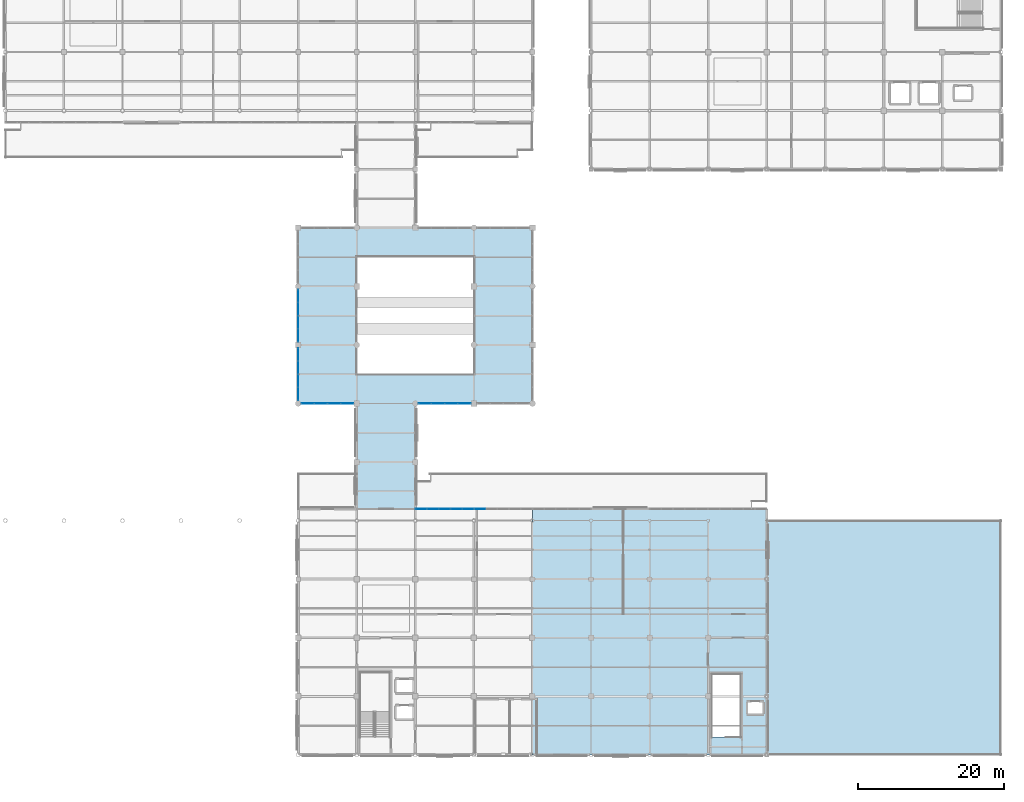
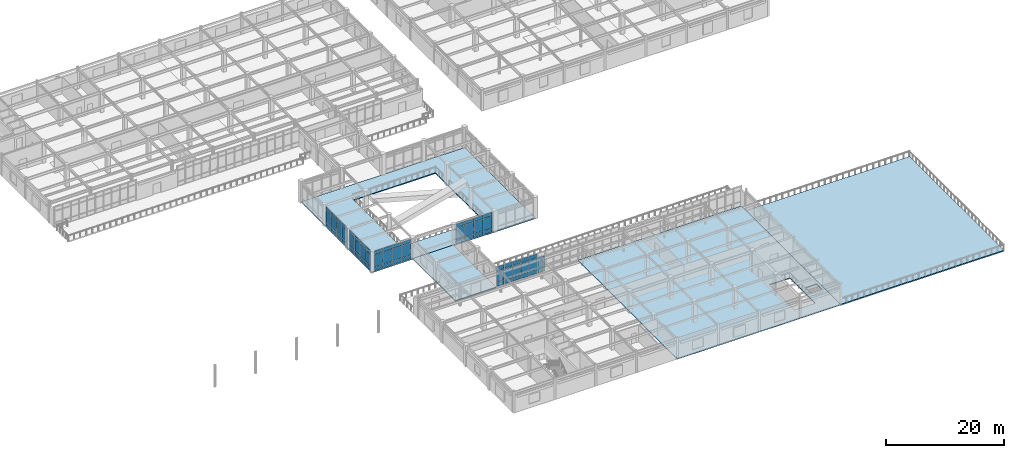
# One storey, part 51 of 93: 65 plates, 4 slabs, 6 elements without a shape of their own.
"""IFC4 building model written with IfcOpenShell, lengths in metres."""

from ifc_helpers import new_model, si_unit, direction, frame, origin, origin_2d, place, context, subcontext, project, spatial, polyline, rectangle, outline, extrude, material, layer, layer_set, type_object, element, aggregate, save


model = new_model("IFC4")

# Units and contexts
model_context = context("Model", 3, precision=1e-05, world=origin(), true_north=direction((0.0, 1.0)))
body_context = subcontext(model_context, "Body", "Model", "MODEL_VIEW")
ifc_project = project(units=[si_unit("LENGTHUNIT", "METRE"), si_unit("AREAUNIT", "SQUARE_METRE"), si_unit("VOLUMEUNIT", "CUBIC_METRE"), si_unit("PLANEANGLEUNIT", "RADIAN"), si_unit("MASSUNIT", "GRAM", prefix="KILO")], contexts=[model_context])

# Site, building, storey
site_placement = place(None, origin())
site = spatial("IfcSite", under=ifc_project, at=site_placement, CompositionType="ELEMENT")
building_placement = place(site_placement, origin())
building = spatial("IfcBuilding", under=site, at=building_placement, Name="Solmirada Galleria", CompositionType="ELEMENT")
storey_placement = place(building_placement, frame((0.0, 0.0, 14.89990234375)))
storey = spatial("IfcBuildingStorey", under=building, at=storey_placement, Name="L03", CompositionType="ELEMENT", Elevation=14.89990234375)

# Curtain wall, plates
ifc_material_1 = material(Name="Impact-resistant low-E double glazing", Category="glass")
curtain_wall_type_1 = type_object("IfcCurtainWallType", Name="CW-FZ3-L03-B4-L072", PredefinedType="NOTDEFINED", material=ifc_material_1)
curtain_wall_1_placement = place(storey_placement, origin())
curtain_wall_1 = element("IfcCurtainWall", 1, at=curtain_wall_1_placement, inside=storey, type_object=curtain_wall_type_1, Name="Terrace and arcade storefront CW-L03-118", PredefinedType="NOTDEFINED")
ifc_layer_1 = layer(ifc_material_1, 0.028076171875)
ifc_layer_set_1 = layer_set([ifc_layer_1], Name="Impact-resistant low-E double glazing")
plate_type_1 = type_object("IfcPlateType", Name="CW-PNL-CW27-T28", PredefinedType="CURTAIN_PANEL", material=ifc_layer_set_1)
plate_1_placement = place(storey_placement, frame((86.68359375, 48.0, 0.06005859375), z_axis=(0.0, 0.0, 1.0), x_axis=(-1.0, 0.0, 0.0)))
plate_1 = element("IfcPlate", 2, at=plate_1_placement, type_object=plate_type_1, Name="CW27 panel 1.1", PredefinedType="CURTAIN_PANEL", context=body_context, shape_type="SweptSolid", body=[
    extrude(rectangle(XDim=1.708984375, YDim=0.028076171875, at=origin_2d()), origin(), (0.0, 0.0, 1.0), 0.77001953125),
])
plate_2_placement = place(storey_placement, frame((86.68359375, 48.0, 0.89013671875), z_axis=(0.0, 0.0, 1.0), x_axis=(-1.0, 0.0, 0.0)))
plate_2 = element("IfcPlate", 3, at=plate_2_placement, type_object=plate_type_1, Name="CW27 panel 1.2", PredefinedType="CURTAIN_PANEL", context=body_context, shape_type="SweptSolid", body=[
    extrude(rectangle(XDim=1.708984375, YDim=0.028076171875, at=origin_2d()), origin(), (0.0, 0.0, 1.0), 2.449951171875),
])
plate_3_placement = place(storey_placement, frame((86.68359375, 48.0, 3.39990234375), z_axis=(0.0, 0.0, 1.0), x_axis=(-1.0, 0.0, 0.0)))
plate_3 = element("IfcPlate", 4, at=plate_3_placement, type_object=plate_type_1, Name="CW27 panel 1.3", PredefinedType="CURTAIN_PANEL", context=body_context, shape_type="SweptSolid", body=[
    extrude(rectangle(XDim=1.708984375, YDim=0.028076171875, at=origin_2d()), origin(), (0.0, 0.0, 1.0), 0.760009765625),
])
plate_4_placement = place(storey_placement, frame((84.8994140625, 48.0, 0.06005859375), z_axis=(0.0, 0.0, 1.0), x_axis=(-1.0, 0.0, 0.0)))
plate_4 = element("IfcPlate", 5, at=plate_4_placement, type_object=plate_type_1, Name="CW27 panel 2.1", PredefinedType="CURTAIN_PANEL", context=body_context, shape_type="SweptSolid", body=[
    extrude(rectangle(XDim=1.739013671875, YDim=0.028076171875, at=origin_2d()), origin(), (0.0, 0.0, 1.0), 0.77001953125),
])
plate_5_placement = place(storey_placement, frame((84.8994140625, 48.0, 0.89013671875), z_axis=(0.0, 0.0, 1.0), x_axis=(-1.0, 0.0, 0.0)))
plate_5 = element("IfcPlate", 6, at=plate_5_placement, type_object=plate_type_1, Name="CW27 panel 2.2", PredefinedType="CURTAIN_PANEL", context=body_context, shape_type="SweptSolid", body=[
    extrude(rectangle(XDim=1.739013671875, YDim=0.028076171875, at=origin_2d()), origin(), (0.0, 0.0, 1.0), 2.449951171875),
])
plate_6_placement = place(storey_placement, frame((84.8994140625, 48.0, 3.39990234375), z_axis=(0.0, 0.0, 1.0), x_axis=(-1.0, 0.0, 0.0)))
plate_6 = element("IfcPlate", 7, at=plate_6_placement, type_object=plate_type_1, Name="CW27 panel 2.3", PredefinedType="CURTAIN_PANEL", context=body_context, shape_type="SweptSolid", body=[
    extrude(rectangle(XDim=1.739013671875, YDim=0.028076171875, at=origin_2d()), origin(), (0.0, 0.0, 1.0), 0.760009765625),
])
plate_7_placement = place(storey_placement, frame((83.1005859375, 48.0, 0.06005859375), z_axis=(0.0, 0.0, 1.0), x_axis=(-1.0, 0.0, 0.0)))
plate_7 = element("IfcPlate", 8, at=plate_7_placement, type_object=plate_type_1, Name="CW27 panel 3.1", PredefinedType="CURTAIN_PANEL", context=body_context, shape_type="SweptSolid", body=[
    extrude(rectangle(XDim=1.739013671875, YDim=0.028076171875, at=origin_2d()), origin(), (0.0, 0.0, 1.0), 0.77001953125),
])
plate_8_placement = place(storey_placement, frame((83.1005859375, 48.0, 0.89013671875), z_axis=(0.0, 0.0, 1.0), x_axis=(-1.0, 0.0, 0.0)))
plate_8 = element("IfcPlate", 9, at=plate_8_placement, type_object=plate_type_1, Name="CW27 panel 3.2", PredefinedType="CURTAIN_PANEL", context=body_context, shape_type="SweptSolid", body=[
    extrude(rectangle(XDim=1.739013671875, YDim=0.028076171875, at=origin_2d()), origin(), (0.0, 0.0, 1.0), 2.449951171875),
])
plate_9_placement = place(storey_placement, frame((83.1005859375, 48.0, 3.39990234375), z_axis=(0.0, 0.0, 1.0), x_axis=(-1.0, 0.0, 0.0)))
plate_9 = element("IfcPlate", 10, at=plate_9_placement, type_object=plate_type_1, Name="CW27 panel 3.3", PredefinedType="CURTAIN_PANEL", context=body_context, shape_type="SweptSolid", body=[
    extrude(rectangle(XDim=1.739013671875, YDim=0.028076171875, at=origin_2d()), origin(), (0.0, 0.0, 1.0), 0.760009765625),
])
plate_10_placement = place(storey_placement, frame((81.31640625, 48.0, 0.06005859375), z_axis=(0.0, 0.0, 1.0), x_axis=(-1.0, 0.0, 0.0)))
plate_10 = element("IfcPlate", 11, at=plate_10_placement, type_object=plate_type_1, Name="CW27 panel 4.1", PredefinedType="CURTAIN_PANEL", context=body_context, shape_type="SweptSolid", body=[
    extrude(rectangle(XDim=1.708984375, YDim=0.028076171875, at=origin_2d()), origin(), (0.0, 0.0, 1.0), 0.77001953125),
])
plate_11_placement = place(storey_placement, frame((81.31640625, 48.0, 0.89013671875), z_axis=(0.0, 0.0, 1.0), x_axis=(-1.0, 0.0, 0.0)))
plate_11 = element("IfcPlate", 12, at=plate_11_placement, type_object=plate_type_1, Name="CW27 panel 4.2", PredefinedType="CURTAIN_PANEL", context=body_context, shape_type="SweptSolid", body=[
    extrude(rectangle(XDim=1.708984375, YDim=0.028076171875, at=origin_2d()), origin(), (0.0, 0.0, 1.0), 2.449951171875),
])
plate_12_placement = place(storey_placement, frame((81.31640625, 48.0, 3.39990234375), z_axis=(0.0, 0.0, 1.0), x_axis=(-1.0, 0.0, 0.0)))
plate_12 = element("IfcPlate", 13, at=plate_12_placement, type_object=plate_type_1, Name="CW27 panel 4.3", PredefinedType="CURTAIN_PANEL", context=body_context, shape_type="SweptSolid", body=[
    extrude(rectangle(XDim=1.708984375, YDim=0.028076171875, at=origin_2d()), origin(), (0.0, 0.0, 1.0), 0.760009765625),
])
aggregate(curtain_wall_1, [plate_1, plate_2, plate_3, plate_4, plate_5, plate_6, plate_7, plate_8, plate_9, plate_10, plate_11, plate_12])

curtain_wall_2_placement = place(storey_placement, origin())
curtain_wall_2 = element("IfcCurtainWall", 14, at=curtain_wall_2_placement, inside=storey, type_object=curtain_wall_type_1, Name="Terrace and arcade storefront CW-L03-119", PredefinedType="NOTDEFINED")
plate_13_placement = place(storey_placement, frame((80.0, 49.31640625, 0.06005859375), z_axis=(0.0, 0.0, 1.0), x_axis=(0.0, 1.0, 0.0)))
plate_13 = element("IfcPlate", 15, at=plate_13_placement, type_object=plate_type_1, Name="CW27 panel 1.1", PredefinedType="CURTAIN_PANEL", context=body_context, shape_type="SweptSolid", body=[
    extrude(rectangle(XDim=1.708984375, YDim=0.028076171875, at=origin_2d()), origin(), (0.0, 0.0, 1.0), 0.77001953125),
])
plate_14_placement = place(storey_placement, frame((80.0, 49.31640625, 0.89013671875), z_axis=(0.0, 0.0, 1.0), x_axis=(0.0, 1.0, 0.0)))
plate_14 = element("IfcPlate", 16, at=plate_14_placement, type_object=plate_type_1, Name="CW27 panel 1.2", PredefinedType="CURTAIN_PANEL", context=body_context, shape_type="SweptSolid", body=[
    extrude(rectangle(XDim=1.708984375, YDim=0.028076171875, at=origin_2d()), origin(), (0.0, 0.0, 1.0), 2.449951171875),
])
plate_15_placement = place(storey_placement, frame((80.0, 49.31640625, 3.39990234375), z_axis=(0.0, 0.0, 1.0), x_axis=(0.0, 1.0, 0.0)))
plate_15 = element("IfcPlate", 17, at=plate_15_placement, type_object=plate_type_1, Name="CW27 panel 1.3", PredefinedType="CURTAIN_PANEL", context=body_context, shape_type="SweptSolid", body=[
    extrude(rectangle(XDim=1.708984375, YDim=0.028076171875, at=origin_2d()), origin(), (0.0, 0.0, 1.0), 0.760009765625),
])
plate_16_placement = place(storey_placement, frame((80.0, 51.1005859375, 0.06005859375), z_axis=(0.0, 0.0, 1.0), x_axis=(0.0, 1.0, 0.0)))
plate_16 = element("IfcPlate", 18, at=plate_16_placement, type_object=plate_type_1, Name="CW27 panel 2.1", PredefinedType="CURTAIN_PANEL", context=body_context, shape_type="SweptSolid", body=[
    extrude(rectangle(XDim=1.739013671875, YDim=0.028076171875, at=origin_2d()), origin(), (0.0, 0.0, 1.0), 0.77001953125),
])
plate_17_placement = place(storey_placement, frame((80.0, 51.1005859375, 0.89013671875), z_axis=(0.0, 0.0, 1.0), x_axis=(0.0, 1.0, 0.0)))
plate_17 = element("IfcPlate", 19, at=plate_17_placement, type_object=plate_type_1, Name="CW27 panel 2.2", PredefinedType="CURTAIN_PANEL", context=body_context, shape_type="SweptSolid", body=[
    extrude(rectangle(XDim=1.739013671875, YDim=0.028076171875, at=origin_2d()), origin(), (0.0, 0.0, 1.0), 2.449951171875),
])
plate_18_placement = place(storey_placement, frame((80.0, 51.1005859375, 3.39990234375), z_axis=(0.0, 0.0, 1.0), x_axis=(0.0, 1.0, 0.0)))
plate_18 = element("IfcPlate", 20, at=plate_18_placement, type_object=plate_type_1, Name="CW27 panel 2.3", PredefinedType="CURTAIN_PANEL", context=body_context, shape_type="SweptSolid", body=[
    extrude(rectangle(XDim=1.739013671875, YDim=0.028076171875, at=origin_2d()), origin(), (0.0, 0.0, 1.0), 0.760009765625),
])
plate_19_placement = place(storey_placement, frame((80.0, 52.8994140625, 0.06005859375), z_axis=(0.0, 0.0, 1.0), x_axis=(0.0, 1.0, 0.0)))
plate_19 = element("IfcPlate", 21, at=plate_19_placement, type_object=plate_type_1, Name="CW27 panel 3.1", PredefinedType="CURTAIN_PANEL", context=body_context, shape_type="SweptSolid", body=[
    extrude(rectangle(XDim=1.739013671875, YDim=0.028076171875, at=origin_2d()), origin(), (0.0, 0.0, 1.0), 0.77001953125),
])
plate_20_placement = place(storey_placement, frame((80.0, 52.8994140625, 0.89013671875), z_axis=(0.0, 0.0, 1.0), x_axis=(0.0, 1.0, 0.0)))
plate_20 = element("IfcPlate", 22, at=plate_20_placement, type_object=plate_type_1, Name="CW27 panel 3.2", PredefinedType="CURTAIN_PANEL", context=body_context, shape_type="SweptSolid", body=[
    extrude(rectangle(XDim=1.739013671875, YDim=0.028076171875, at=origin_2d()), origin(), (0.0, 0.0, 1.0), 2.449951171875),
])
plate_21_placement = place(storey_placement, frame((80.0, 52.8994140625, 3.39990234375), z_axis=(0.0, 0.0, 1.0), x_axis=(0.0, 1.0, 0.0)))
plate_21 = element("IfcPlate", 23, at=plate_21_placement, type_object=plate_type_1, Name="CW27 panel 3.3", PredefinedType="CURTAIN_PANEL", context=body_context, shape_type="SweptSolid", body=[
    extrude(rectangle(XDim=1.739013671875, YDim=0.028076171875, at=origin_2d()), origin(), (0.0, 0.0, 1.0), 0.760009765625),
])
plate_22_placement = place(storey_placement, frame((80.0, 54.68359375, 0.06005859375), z_axis=(0.0, 0.0, 1.0), x_axis=(0.0, 1.0, 0.0)))
plate_22 = element("IfcPlate", 24, at=plate_22_placement, type_object=plate_type_1, Name="CW27 panel 4.1", PredefinedType="CURTAIN_PANEL", context=body_context, shape_type="SweptSolid", body=[
    extrude(rectangle(XDim=1.708984375, YDim=0.028076171875, at=origin_2d()), origin(), (0.0, 0.0, 1.0), 0.77001953125),
])
plate_23_placement = place(storey_placement, frame((80.0, 54.68359375, 0.89013671875), z_axis=(0.0, 0.0, 1.0), x_axis=(0.0, 1.0, 0.0)))
plate_23 = element("IfcPlate", 25, at=plate_23_placement, type_object=plate_type_1, Name="CW27 panel 4.2", PredefinedType="CURTAIN_PANEL", context=body_context, shape_type="SweptSolid", body=[
    extrude(rectangle(XDim=1.708984375, YDim=0.028076171875, at=origin_2d()), origin(), (0.0, 0.0, 1.0), 2.449951171875),
])
plate_24_placement = place(storey_placement, frame((80.0, 54.68359375, 3.39990234375), z_axis=(0.0, 0.0, 1.0), x_axis=(0.0, 1.0, 0.0)))
plate_24 = element("IfcPlate", 26, at=plate_24_placement, type_object=plate_type_1, Name="CW27 panel 4.3", PredefinedType="CURTAIN_PANEL", context=body_context, shape_type="SweptSolid", body=[
    extrude(rectangle(XDim=1.708984375, YDim=0.028076171875, at=origin_2d()), origin(), (0.0, 0.0, 1.0), 0.760009765625),
])
aggregate(curtain_wall_2, [plate_13, plate_14, plate_15, plate_16, plate_17, plate_18, plate_19, plate_20, plate_21, plate_22, plate_23, plate_24])

curtain_wall_3_placement = place(storey_placement, origin())
curtain_wall_3 = element("IfcCurtainWall", 27, at=curtain_wall_3_placement, inside=storey, type_object=curtain_wall_type_1, Name="Terrace and arcade storefront CW-L03-120", PredefinedType="NOTDEFINED")
plate_25_placement = place(storey_placement, frame((80.0, 57.31640625, 0.06005859375), z_axis=(0.0, 0.0, 1.0), x_axis=(0.0, 1.0, 0.0)))
plate_25 = element("IfcPlate", 28, at=plate_25_placement, type_object=plate_type_1, Name="CW27 panel 1.1", PredefinedType="CURTAIN_PANEL", context=body_context, shape_type="SweptSolid", body=[
    extrude(rectangle(XDim=1.708984375, YDim=0.028076171875, at=origin_2d()), origin(), (0.0, 0.0, 1.0), 0.77001953125),
])
plate_26_placement = place(storey_placement, frame((80.0, 57.31640625, 0.89013671875), z_axis=(0.0, 0.0, 1.0), x_axis=(0.0, 1.0, 0.0)))
plate_26 = element("IfcPlate", 29, at=plate_26_placement, type_object=plate_type_1, Name="CW27 panel 1.2", PredefinedType="CURTAIN_PANEL", context=body_context, shape_type="SweptSolid", body=[
    extrude(rectangle(XDim=1.708984375, YDim=0.028076171875, at=origin_2d()), origin(), (0.0, 0.0, 1.0), 2.449951171875),
])
plate_27_placement = place(storey_placement, frame((80.0, 57.31640625, 3.39990234375), z_axis=(0.0, 0.0, 1.0), x_axis=(0.0, 1.0, 0.0)))
plate_27 = element("IfcPlate", 30, at=plate_27_placement, type_object=plate_type_1, Name="CW27 panel 1.3", PredefinedType="CURTAIN_PANEL", context=body_context, shape_type="SweptSolid", body=[
    extrude(rectangle(XDim=1.708984375, YDim=0.028076171875, at=origin_2d()), origin(), (0.0, 0.0, 1.0), 0.760009765625),
])
plate_28_placement = place(storey_placement, frame((80.0, 59.1005859375, 0.06005859375), z_axis=(0.0, 0.0, 1.0), x_axis=(0.0, 1.0, 0.0)))
plate_28 = element("IfcPlate", 31, at=plate_28_placement, type_object=plate_type_1, Name="CW27 panel 2.1", PredefinedType="CURTAIN_PANEL", context=body_context, shape_type="SweptSolid", body=[
    extrude(rectangle(XDim=1.739013671875, YDim=0.028076171875, at=origin_2d()), origin(), (0.0, 0.0, 1.0), 0.77001953125),
])
plate_29_placement = place(storey_placement, frame((80.0, 59.1005859375, 0.89013671875), z_axis=(0.0, 0.0, 1.0), x_axis=(0.0, 1.0, 0.0)))
plate_29 = element("IfcPlate", 32, at=plate_29_placement, type_object=plate_type_1, Name="CW27 panel 2.2", PredefinedType="CURTAIN_PANEL", context=body_context, shape_type="SweptSolid", body=[
    extrude(rectangle(XDim=1.739013671875, YDim=0.028076171875, at=origin_2d()), origin(), (0.0, 0.0, 1.0), 2.449951171875),
])
plate_30_placement = place(storey_placement, frame((80.0, 59.1005859375, 3.39990234375), z_axis=(0.0, 0.0, 1.0), x_axis=(0.0, 1.0, 0.0)))
plate_30 = element("IfcPlate", 33, at=plate_30_placement, type_object=plate_type_1, Name="CW27 panel 2.3", PredefinedType="CURTAIN_PANEL", context=body_context, shape_type="SweptSolid", body=[
    extrude(rectangle(XDim=1.739013671875, YDim=0.028076171875, at=origin_2d()), origin(), (0.0, 0.0, 1.0), 0.760009765625),
])
plate_31_placement = place(storey_placement, frame((80.0, 60.8994140625, 0.06005859375), z_axis=(0.0, 0.0, 1.0), x_axis=(0.0, 1.0, 0.0)))
plate_31 = element("IfcPlate", 34, at=plate_31_placement, type_object=plate_type_1, Name="CW27 panel 3.1", PredefinedType="CURTAIN_PANEL", context=body_context, shape_type="SweptSolid", body=[
    extrude(rectangle(XDim=1.739013671875, YDim=0.028076171875, at=origin_2d()), origin(), (0.0, 0.0, 1.0), 0.77001953125),
])
plate_32_placement = place(storey_placement, frame((80.0, 60.8994140625, 0.89013671875), z_axis=(0.0, 0.0, 1.0), x_axis=(0.0, 1.0, 0.0)))
plate_32 = element("IfcPlate", 35, at=plate_32_placement, type_object=plate_type_1, Name="CW27 panel 3.2", PredefinedType="CURTAIN_PANEL", context=body_context, shape_type="SweptSolid", body=[
    extrude(rectangle(XDim=1.739013671875, YDim=0.028076171875, at=origin_2d()), origin(), (0.0, 0.0, 1.0), 2.449951171875),
])
plate_33_placement = place(storey_placement, frame((80.0, 60.8994140625, 3.39990234375), z_axis=(0.0, 0.0, 1.0), x_axis=(0.0, 1.0, 0.0)))
plate_33 = element("IfcPlate", 36, at=plate_33_placement, type_object=plate_type_1, Name="CW27 panel 3.3", PredefinedType="CURTAIN_PANEL", context=body_context, shape_type="SweptSolid", body=[
    extrude(rectangle(XDim=1.739013671875, YDim=0.028076171875, at=origin_2d()), origin(), (0.0, 0.0, 1.0), 0.760009765625),
])
plate_34_placement = place(storey_placement, frame((80.0, 62.68359375, 0.06005859375), z_axis=(0.0, 0.0, 1.0), x_axis=(0.0, 1.0, 0.0)))
plate_34 = element("IfcPlate", 37, at=plate_34_placement, type_object=plate_type_1, Name="CW27 panel 4.1", PredefinedType="CURTAIN_PANEL", context=body_context, shape_type="SweptSolid", body=[
    extrude(rectangle(XDim=1.708984375, YDim=0.028076171875, at=origin_2d()), origin(), (0.0, 0.0, 1.0), 0.77001953125),
])
plate_35_placement = place(storey_placement, frame((80.0, 62.68359375, 0.89013671875), z_axis=(0.0, 0.0, 1.0), x_axis=(0.0, 1.0, 0.0)))
plate_35 = element("IfcPlate", 38, at=plate_35_placement, type_object=plate_type_1, Name="CW27 panel 4.2", PredefinedType="CURTAIN_PANEL", context=body_context, shape_type="SweptSolid", body=[
    extrude(rectangle(XDim=1.708984375, YDim=0.028076171875, at=origin_2d()), origin(), (0.0, 0.0, 1.0), 2.449951171875),
])
plate_36_placement = place(storey_placement, frame((80.0, 62.68359375, 3.39990234375), z_axis=(0.0, 0.0, 1.0), x_axis=(0.0, 1.0, 0.0)))
plate_36 = element("IfcPlate", 39, at=plate_36_placement, type_object=plate_type_1, Name="CW27 panel 4.3", PredefinedType="CURTAIN_PANEL", context=body_context, shape_type="SweptSolid", body=[
    extrude(rectangle(XDim=1.708984375, YDim=0.028076171875, at=origin_2d()), origin(), (0.0, 0.0, 1.0), 0.760009765625),
])
aggregate(curtain_wall_3, [plate_25, plate_26, plate_27, plate_28, plate_29, plate_30, plate_31, plate_32, plate_33, plate_34, plate_35, plate_36])

curtain_wall_4_placement = place(storey_placement, origin())
curtain_wall_4 = element("IfcCurtainWall", 40, at=curtain_wall_4_placement, inside=storey, type_object=curtain_wall_type_1, Name="Terrace and arcade storefront CW-L03-135", PredefinedType="NOTDEFINED")
plate_37_placement = place(storey_placement, frame((102.68359375, 48.0, 0.06005859375), z_axis=(0.0, 0.0, 1.0), x_axis=(-1.0, 0.0, 0.0)))
plate_37 = element("IfcPlate", 41, at=plate_37_placement, type_object=plate_type_1, Name="CW27 panel 1.1", PredefinedType="CURTAIN_PANEL", context=body_context, shape_type="SweptSolid", body=[
    extrude(rectangle(XDim=1.708984375, YDim=0.028076171875, at=origin_2d()), origin(), (0.0, 0.0, 1.0), 0.77001953125),
])
plate_38_placement = place(storey_placement, frame((102.68359375, 48.0, 0.89013671875), z_axis=(0.0, 0.0, 1.0), x_axis=(-1.0, 0.0, 0.0)))
plate_38 = element("IfcPlate", 42, at=plate_38_placement, type_object=plate_type_1, Name="CW27 panel 1.2", PredefinedType="CURTAIN_PANEL", context=body_context, shape_type="SweptSolid", body=[
    extrude(rectangle(XDim=1.708984375, YDim=0.028076171875, at=origin_2d()), origin(), (0.0, 0.0, 1.0), 2.449951171875),
])
plate_39_placement = place(storey_placement, frame((102.68359375, 48.0, 3.39990234375), z_axis=(0.0, 0.0, 1.0), x_axis=(-1.0, 0.0, 0.0)))
plate_39 = element("IfcPlate", 43, at=plate_39_placement, type_object=plate_type_1, Name="CW27 panel 1.3", PredefinedType="CURTAIN_PANEL", context=body_context, shape_type="SweptSolid", body=[
    extrude(rectangle(XDim=1.708984375, YDim=0.028076171875, at=origin_2d()), origin(), (0.0, 0.0, 1.0), 0.760009765625),
])
plate_40_placement = place(storey_placement, frame((100.8994140625, 48.0, 0.06005859375), z_axis=(0.0, 0.0, 1.0), x_axis=(-1.0, 0.0, 0.0)))
plate_40 = element("IfcPlate", 44, at=plate_40_placement, type_object=plate_type_1, Name="CW27 panel 2.1", PredefinedType="CURTAIN_PANEL", context=body_context, shape_type="SweptSolid", body=[
    extrude(rectangle(XDim=1.739013671875, YDim=0.028076171875, at=origin_2d()), origin(), (0.0, 0.0, 1.0), 0.77001953125),
])
plate_41_placement = place(storey_placement, frame((100.8994140625, 48.0, 0.89013671875), z_axis=(0.0, 0.0, 1.0), x_axis=(-1.0, 0.0, 0.0)))
plate_41 = element("IfcPlate", 45, at=plate_41_placement, type_object=plate_type_1, Name="CW27 panel 2.2", PredefinedType="CURTAIN_PANEL", context=body_context, shape_type="SweptSolid", body=[
    extrude(rectangle(XDim=1.739013671875, YDim=0.028076171875, at=origin_2d()), origin(), (0.0, 0.0, 1.0), 2.449951171875),
])
plate_42_placement = place(storey_placement, frame((100.8994140625, 48.0, 3.39990234375), z_axis=(0.0, 0.0, 1.0), x_axis=(-1.0, 0.0, 0.0)))
plate_42 = element("IfcPlate", 46, at=plate_42_placement, type_object=plate_type_1, Name="CW27 panel 2.3", PredefinedType="CURTAIN_PANEL", context=body_context, shape_type="SweptSolid", body=[
    extrude(rectangle(XDim=1.739013671875, YDim=0.028076171875, at=origin_2d()), origin(), (0.0, 0.0, 1.0), 0.760009765625),
])
plate_43_placement = place(storey_placement, frame((99.1005859375, 48.0, 0.06005859375), z_axis=(0.0, 0.0, 1.0), x_axis=(-1.0, 0.0, 0.0)))
plate_43 = element("IfcPlate", 47, at=plate_43_placement, type_object=plate_type_1, Name="CW27 panel 3.1", PredefinedType="CURTAIN_PANEL", context=body_context, shape_type="SweptSolid", body=[
    extrude(rectangle(XDim=1.739013671875, YDim=0.028076171875, at=origin_2d()), origin(), (0.0, 0.0, 1.0), 0.77001953125),
])
plate_44_placement = place(storey_placement, frame((99.1005859375, 48.0, 0.89013671875), z_axis=(0.0, 0.0, 1.0), x_axis=(-1.0, 0.0, 0.0)))
plate_44 = element("IfcPlate", 48, at=plate_44_placement, type_object=plate_type_1, Name="CW27 panel 3.2", PredefinedType="CURTAIN_PANEL", context=body_context, shape_type="SweptSolid", body=[
    extrude(rectangle(XDim=1.739013671875, YDim=0.028076171875, at=origin_2d()), origin(), (0.0, 0.0, 1.0), 2.449951171875),
])
plate_45_placement = place(storey_placement, frame((99.1005859375, 48.0, 3.39990234375), z_axis=(0.0, 0.0, 1.0), x_axis=(-1.0, 0.0, 0.0)))
plate_45 = element("IfcPlate", 49, at=plate_45_placement, type_object=plate_type_1, Name="CW27 panel 3.3", PredefinedType="CURTAIN_PANEL", context=body_context, shape_type="SweptSolid", body=[
    extrude(rectangle(XDim=1.739013671875, YDim=0.028076171875, at=origin_2d()), origin(), (0.0, 0.0, 1.0), 0.760009765625),
])
plate_46_placement = place(storey_placement, frame((97.31640625, 48.0, 0.06005859375), z_axis=(0.0, 0.0, 1.0), x_axis=(-1.0, 0.0, 0.0)))
plate_46 = element("IfcPlate", 50, at=plate_46_placement, type_object=plate_type_1, Name="CW27 panel 4.1", PredefinedType="CURTAIN_PANEL", context=body_context, shape_type="SweptSolid", body=[
    extrude(rectangle(XDim=1.708984375, YDim=0.028076171875, at=origin_2d()), origin(), (0.0, 0.0, 1.0), 0.77001953125),
])
plate_47_placement = place(storey_placement, frame((97.31640625, 48.0, 0.89013671875), z_axis=(0.0, 0.0, 1.0), x_axis=(-1.0, 0.0, 0.0)))
plate_47 = element("IfcPlate", 51, at=plate_47_placement, type_object=plate_type_1, Name="CW27 panel 4.2", PredefinedType="CURTAIN_PANEL", context=body_context, shape_type="SweptSolid", body=[
    extrude(rectangle(XDim=1.708984375, YDim=0.028076171875, at=origin_2d()), origin(), (0.0, 0.0, 1.0), 2.449951171875),
])
plate_48_placement = place(storey_placement, frame((97.31640625, 48.0, 3.39990234375), z_axis=(0.0, 0.0, 1.0), x_axis=(-1.0, 0.0, 0.0)))
plate_48 = element("IfcPlate", 52, at=plate_48_placement, type_object=plate_type_1, Name="CW27 panel 4.3", PredefinedType="CURTAIN_PANEL", context=body_context, shape_type="SweptSolid", body=[
    extrude(rectangle(XDim=1.708984375, YDim=0.028076171875, at=origin_2d()), origin(), (0.0, 0.0, 1.0), 0.760009765625),
])
aggregate(curtain_wall_4, [plate_37, plate_38, plate_39, plate_40, plate_41, plate_42, plate_43, plate_44, plate_45, plate_46, plate_47, plate_48])

curtain_wall_type_2 = type_object("IfcCurtainWallType", Name="CW-FZ5-L03-B5-L080", PredefinedType="NOTDEFINED", material=ifc_material_1)
curtain_wall_5_placement = place(storey_placement, origin())
curtain_wall_5 = element("IfcCurtainWall", 53, at=curtain_wall_5_placement, inside=storey, type_object=curtain_wall_type_2, Name="Terrace and arcade storefront CW-L03-136", PredefinedType="NOTDEFINED")
ifc_material_2 = material(Name="Ceramic-fritted spandrel glass", Category="glass")
ifc_layer_2 = layer(ifc_material_2, 0.0419921875)
ifc_layer_set_2 = layer_set([ifc_layer_2], Name="Ceramic-fritted spandrel glass")
plate_type_2 = type_object("IfcPlateType", Name="CW-PNL-CW29-T42", PredefinedType="CURTAIN_PANEL", material=ifc_layer_set_2)
plate_49_placement = place(storey_placement, frame((96.81494140625, 33.60009765625, 0.06005859375), z_axis=(0.0, 0.0, 1.0), x_axis=(1.0, 0.0, 0.0)))
plate_49 = element("IfcPlate", 54, at=plate_49_placement, type_object=plate_type_2, Name="CW29 panel 1.1", PredefinedType="CURTAIN_PANEL", context=body_context, shape_type="SweptSolid", body=[
    extrude(rectangle(XDim=1.510009765625, YDim=0.0419921875, at=origin_2d()), origin(), (0.0, 0.0, 1.0), 0.889892578125),
])
plate_50_placement = place(storey_placement, frame((96.81494140625, 33.60009765625, 1.010009765625), z_axis=(0.0, 0.0, 1.0), x_axis=(1.0, 0.0, 0.0)))
plate_50 = element("IfcPlate", 55, at=plate_50_placement, type_object=plate_type_2, Name="CW29 panel 1.2", PredefinedType="CURTAIN_PANEL", context=body_context, shape_type="SweptSolid", body=[
    extrude(rectangle(XDim=1.510009765625, YDim=0.0419921875, at=origin_2d()), origin(), (0.0, 0.0, 1.0), 2.22998046875),
])
plate_51_placement = place(storey_placement, frame((96.81494140625, 33.60009765625, 3.2998046875), z_axis=(0.0, 0.0, 1.0), x_axis=(1.0, 0.0, 0.0)))
plate_51 = element("IfcPlate", 56, at=plate_51_placement, type_object=plate_type_2, Name="CW29 panel 1.3", PredefinedType="CURTAIN_PANEL", context=body_context, shape_type="SweptSolid", body=[
    extrude(rectangle(XDim=1.510009765625, YDim=0.0419921875, at=origin_2d()), origin(), (0.0, 0.0, 1.0), 0.860107421875),
])
plate_52_placement = place(storey_placement, frame((98.39990234375, 33.60009765625, 0.06005859375), z_axis=(0.0, 0.0, 1.0), x_axis=(1.0, 0.0, 0.0)))
plate_52 = element("IfcPlate", 57, at=plate_52_placement, type_object=plate_type_2, Name="CW29 panel 2.1", PredefinedType="CURTAIN_PANEL", context=body_context, shape_type="SweptSolid", body=[
    extrude(rectangle(XDim=1.5400390625, YDim=0.0419921875, at=origin_2d()), origin(), (0.0, 0.0, 1.0), 0.889892578125),
])
plate_53_placement = place(storey_placement, frame((98.39990234375, 33.60009765625, 1.010009765625), z_axis=(0.0, 0.0, 1.0), x_axis=(1.0, 0.0, 0.0)))
plate_53 = element("IfcPlate", 58, at=plate_53_placement, type_object=plate_type_2, Name="CW29 panel 2.2", PredefinedType="CURTAIN_PANEL", context=body_context, shape_type="SweptSolid", body=[
    extrude(rectangle(XDim=1.5400390625, YDim=0.0419921875, at=origin_2d()), origin(), (0.0, 0.0, 1.0), 2.22998046875),
])
plate_54_placement = place(storey_placement, frame((98.39990234375, 33.60009765625, 3.2998046875), z_axis=(0.0, 0.0, 1.0), x_axis=(1.0, 0.0, 0.0)))
plate_54 = element("IfcPlate", 59, at=plate_54_placement, type_object=plate_type_2, Name="CW29 panel 2.3", PredefinedType="CURTAIN_PANEL", context=body_context, shape_type="SweptSolid", body=[
    extrude(rectangle(XDim=1.5400390625, YDim=0.0419921875, at=origin_2d()), origin(), (0.0, 0.0, 1.0), 0.860107421875),
])
plate_55_placement = place(storey_placement, frame((100.0, 33.60009765625, 0.06005859375), z_axis=(0.0, 0.0, 1.0), x_axis=(1.0, 0.0, 0.0)))
plate_55 = element("IfcPlate", 60, at=plate_55_placement, type_object=plate_type_2, Name="CW29 panel 3.1", PredefinedType="CURTAIN_PANEL", context=body_context, shape_type="SweptSolid", body=[
    extrude(rectangle(XDim=1.5400390625, YDim=0.0419921875, at=origin_2d()), origin(), (0.0, 0.0, 1.0), 0.889892578125),
])
plate_56_placement = place(storey_placement, frame((100.0, 33.60009765625, 1.010009765625), z_axis=(0.0, 0.0, 1.0), x_axis=(1.0, 0.0, 0.0)))
plate_56 = element("IfcPlate", 61, at=plate_56_placement, type_object=plate_type_2, Name="CW29 panel 3.2", PredefinedType="CURTAIN_PANEL", context=body_context, shape_type="SweptSolid", body=[
    extrude(rectangle(XDim=1.5400390625, YDim=0.0419921875, at=origin_2d()), origin(), (0.0, 0.0, 1.0), 2.22998046875),
])
plate_57_placement = place(storey_placement, frame((100.0, 33.60009765625, 3.2998046875), z_axis=(0.0, 0.0, 1.0), x_axis=(1.0, 0.0, 0.0)))
plate_57 = element("IfcPlate", 62, at=plate_57_placement, type_object=plate_type_2, Name="CW29 panel 3.3", PredefinedType="CURTAIN_PANEL", context=body_context, shape_type="SweptSolid", body=[
    extrude(rectangle(XDim=1.5400390625, YDim=0.0419921875, at=origin_2d()), origin(), (0.0, 0.0, 1.0), 0.860107421875),
])
plate_58_placement = place(storey_placement, frame((101.60009765625, 33.60009765625, 0.06005859375), z_axis=(0.0, 0.0, 1.0), x_axis=(1.0, 0.0, 0.0)))
plate_58 = element("IfcPlate", 63, at=plate_58_placement, type_object=plate_type_2, Name="CW29 panel 4.1", PredefinedType="CURTAIN_PANEL", context=body_context, shape_type="SweptSolid", body=[
    extrude(rectangle(XDim=1.5400390625, YDim=0.0419921875, at=origin_2d()), origin(), (0.0, 0.0, 1.0), 0.889892578125),
])
plate_59_placement = place(storey_placement, frame((101.60009765625, 33.60009765625, 1.010009765625), z_axis=(0.0, 0.0, 1.0), x_axis=(1.0, 0.0, 0.0)))
plate_59 = element("IfcPlate", 64, at=plate_59_placement, type_object=plate_type_2, Name="CW29 panel 4.2", PredefinedType="CURTAIN_PANEL", context=body_context, shape_type="SweptSolid", body=[
    extrude(rectangle(XDim=1.5400390625, YDim=0.0419921875, at=origin_2d()), origin(), (0.0, 0.0, 1.0), 2.22998046875),
])
plate_60_placement = place(storey_placement, frame((101.60009765625, 33.60009765625, 3.2998046875), z_axis=(0.0, 0.0, 1.0), x_axis=(1.0, 0.0, 0.0)))
plate_60 = element("IfcPlate", 65, at=plate_60_placement, type_object=plate_type_2, Name="CW29 panel 4.3", PredefinedType="CURTAIN_PANEL", context=body_context, shape_type="SweptSolid", body=[
    extrude(rectangle(XDim=1.5400390625, YDim=0.0419921875, at=origin_2d()), origin(), (0.0, 0.0, 1.0), 0.860107421875),
])
plate_61_placement = place(storey_placement, frame((103.18505859375, 33.60009765625, 0.06005859375), z_axis=(0.0, 0.0, 1.0), x_axis=(1.0, 0.0, 0.0)))
plate_61 = element("IfcPlate", 66, at=plate_61_placement, type_object=plate_type_2, Name="CW29 panel 5.1", PredefinedType="CURTAIN_PANEL", context=body_context, shape_type="SweptSolid", body=[
    extrude(rectangle(XDim=1.510009765625, YDim=0.0419921875, at=origin_2d()), origin(), (0.0, 0.0, 1.0), 0.889892578125),
])
plate_62_placement = place(storey_placement, frame((103.18505859375, 33.60009765625, 1.010009765625), z_axis=(0.0, 0.0, 1.0), x_axis=(1.0, 0.0, 0.0)))
plate_62 = element("IfcPlate", 67, at=plate_62_placement, type_object=plate_type_2, Name="CW29 panel 5.2", PredefinedType="CURTAIN_PANEL", context=body_context, shape_type="SweptSolid", body=[
    extrude(rectangle(XDim=1.510009765625, YDim=0.0419921875, at=origin_2d()), origin(), (0.0, 0.0, 1.0), 2.22998046875),
])
plate_63_placement = place(storey_placement, frame((103.18505859375, 33.60009765625, 3.2998046875), z_axis=(0.0, 0.0, 1.0), x_axis=(1.0, 0.0, 0.0)))
plate_63 = element("IfcPlate", 68, at=plate_63_placement, type_object=plate_type_2, Name="CW29 panel 5.3", PredefinedType="CURTAIN_PANEL", context=body_context, shape_type="SweptSolid", body=[
    extrude(rectangle(XDim=1.510009765625, YDim=0.0419921875, at=origin_2d()), origin(), (0.0, 0.0, 1.0), 0.860107421875),
])
aggregate(curtain_wall_5, [plate_49, plate_50, plate_51, plate_52, plate_53, plate_54, plate_55, plate_56, plate_57, plate_58, plate_59, plate_60, plate_61, plate_62, plate_63])

curtain_wall_6_placement = place(storey_placement, origin())
curtain_wall_6 = element("IfcCurtainWall", 69, at=curtain_wall_6_placement, inside=storey, type_object=curtain_wall_type_2, Name="Terrace and arcade storefront CW-L03-137", PredefinedType="NOTDEFINED")
plate_64_placement = place(storey_placement, frame((104.81494140625, 33.60009765625, 0.06005859375), z_axis=(0.0, 0.0, 1.0), x_axis=(1.0, 0.0, 0.0)))
plate_64 = element("IfcPlate", 70, at=plate_64_placement, type_object=plate_type_2, Name="CW29 panel 1.1", PredefinedType="CURTAIN_PANEL", context=body_context, shape_type="SweptSolid", body=[
    extrude(rectangle(XDim=1.510009765625, YDim=0.0419921875, at=origin_2d()), origin(), (0.0, 0.0, 1.0), 0.889892578125),
])
plate_65_placement = place(storey_placement, frame((104.81494140625, 33.60009765625, 1.010009765625), z_axis=(0.0, 0.0, 1.0), x_axis=(1.0, 0.0, 0.0)))
plate_65 = element("IfcPlate", 71, at=plate_65_placement, type_object=plate_type_2, Name="CW29 panel 1.2", PredefinedType="CURTAIN_PANEL", context=body_context, shape_type="SweptSolid", body=[
    extrude(rectangle(XDim=1.510009765625, YDim=0.0419921875, at=origin_2d()), origin(), (0.0, 0.0, 1.0), 2.22998046875),
])
aggregate(curtain_wall_6, [plate_64, plate_65])

# Slabs
ifc_material_3 = material(Name="Concrete C35/45", Category="concrete")
ifc_layer_3 = layer(ifc_material_3, 0.199951171875)
ifc_layer_set_3 = layer_set([ifc_layer_3], Name="Concrete C35/45")
slab_type_1 = type_object("IfcSlabType", Name="SLB-FLOOR-200", PredefinedType="FLOOR", material=ifc_layer_set_3)
slab_1_placement = place(storey_placement, frame((0.0, 0.0, -0.199951171875)))
element("IfcSlab", 72, at=slab_1_placement, inside=storey, type_object=slab_type_1, Name="Slab L03-SOUTH-E", PredefinedType="FLOOR", context=body_context, shape_type="SweptSolid", body=[
    extrude(outline(polyline([(112.0, 0.0), (144.0, 0.0), (144.0, 33.60009765625), (112.0, 33.60009765625), (112.0, 0.0)]), holes=[polyline([(136.449951171875, 2.449951171875), (140.5, 2.449951171875), (140.5, 11.10009765625), (136.449951171875, 11.10009765625), (136.449951171875, 2.449951171875)]), polyline([(141.375, 5.550048828125), (143.52490234375, 5.550048828125), (143.52490234375, 7.25), (141.375, 7.25), (141.375, 5.550048828125)])]), origin(), (0.0, 0.0, 1.0), 0.199951171875),
])
slab_2_placement = place(storey_placement, frame((0.0, 0.0, -0.199951171875)))
element("IfcSlab", 73, at=slab_2_placement, inside=storey, type_object=slab_type_1, Name="Slab L03-BRG-S", PredefinedType="FLOOR", context=body_context, shape_type="SweptSolid", body=[
    extrude(outline(polyline([(88.0, 33.60009765625), (96.0, 33.60009765625), (96.0, 48.0), (88.0, 48.0), (88.0, 33.60009765625)])), origin(), (0.0, 0.0, 1.0), 0.199951171875),
])
slab_3_placement = place(storey_placement, frame((0.0, 0.0, -0.199951171875)))
element("IfcSlab", 74, at=slab_3_placement, inside=storey, type_object=slab_type_1, Name="Slab L03-ATRIUM", PredefinedType="FLOOR", context=body_context, shape_type="SweptSolid", body=[
    extrude(outline(polyline([(80.0, 48.0), (112.0, 48.0), (112.0, 72.0), (80.0, 72.0), (80.0, 48.0)]), holes=[polyline([(88.0, 52.0), (104.0, 52.0), (104.0, 68.0), (88.0, 68.0), (88.0, 52.0)])]), origin(), (0.0, 0.0, 1.0), 0.199951171875),
])
ifc_layer_4 = layer(ifc_material_3, 0.239990234375)
ifc_layer_set_4 = layer_set([ifc_layer_4], Name="Concrete C35/45")
slab_type_2 = type_object("IfcSlabType", Name="SLB-TERR-240", PredefinedType="FLOOR", material=ifc_layer_set_4)
slab_4_placement = place(storey_placement, frame((0.0, 0.0, -0.239990234375)))
element("IfcSlab", 75, at=slab_4_placement, inside=storey, type_object=slab_type_2, Name="Slab L03-TERR-ER", PredefinedType="FLOOR", context=body_context, shape_type="SweptSolid", body=[
    extrude(outline(polyline([(144.0, 0.0), (176.0, 0.0), (176.0, 32.0), (144.0, 32.0), (144.0, 0.0)])), origin(), (0.0, 0.0, 1.0), 0.239990234375),
])

save(model, "model.ifc")
